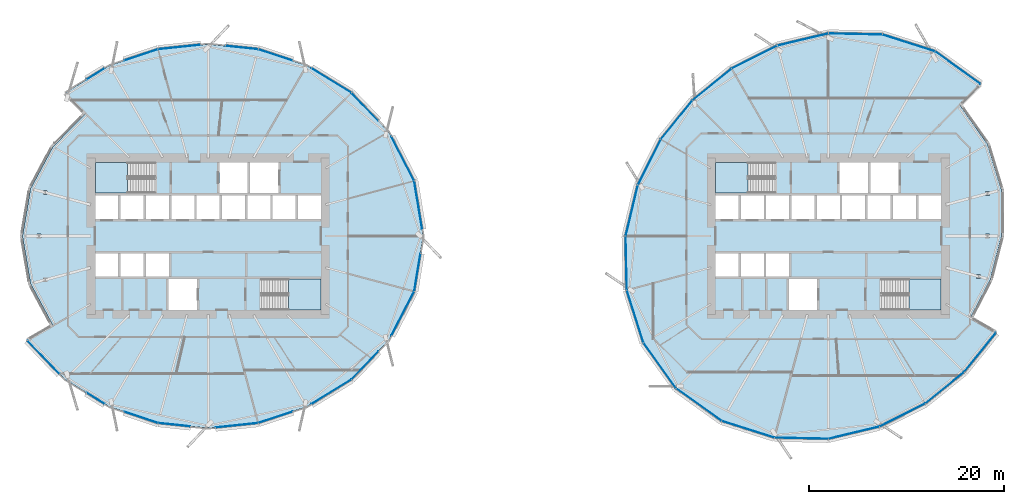
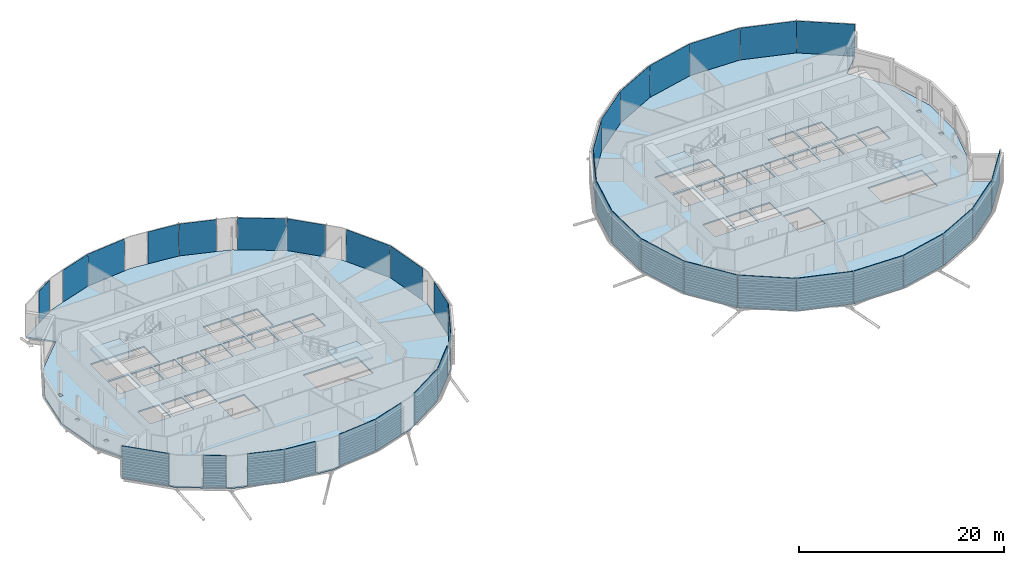
# One storey, part 18 of 36: 38 plates, 6 slabs, 6 elements without a shape of their own.
"""IFC4 building model written with IfcOpenShell, lengths in metres."""

from ifc_helpers import new_model, si_unit, direction, frame, origin, origin_2d, place, context, subcontext, project, spatial, polyline, rectangle, outline, extrude, material, layer, layer_set, type_object, element, aggregate, save


model = new_model("IFC4")

# Units and contexts
model_context = context("Model", 3, precision=1e-05, world=origin(), true_north=direction((0.0, 1.0)))
body_context = subcontext(model_context, "Body", "Model", "MODEL_VIEW")
ifc_project = project(units=[si_unit("LENGTHUNIT", "METRE"), si_unit("AREAUNIT", "SQUARE_METRE"), si_unit("VOLUMEUNIT", "CUBIC_METRE"), si_unit("PLANEANGLEUNIT", "RADIAN"), si_unit("MASSUNIT", "GRAM", prefix="KILO")], contexts=[model_context])

# Site, building, storey
site_placement = place(None, origin())
site = spatial("IfcSite", under=ifc_project, at=site_placement, CompositionType="ELEMENT")
building_placement = place(site_placement, origin())
building = spatial("IfcBuilding", under=site, at=building_placement, Name="Rimbun Link Towers", CompositionType="ELEMENT")
storey_placement = place(building_placement, frame((0.0, 0.0, 37.60009765625)))
storey = spatial("IfcBuildingStorey", under=building, at=storey_placement, Name="L08", CompositionType="ELEMENT", Elevation=37.60009765625)

# Slabs
ifc_material_1 = material(Name="Concrete C35/45", Category="concrete")
ifc_layer_1 = layer(ifc_material_1, 0.159912109375)
ifc_layer_set_1 = layer_set([ifc_layer_1], Name="COMPOSITE FLOOR 160")
slab_type_1 = type_object("IfcSlabType", Name="COMPOSITE FLOOR 160", PredefinedType="FLOOR", material=ifc_layer_set_1)
slab_1_placement = place(storey_placement, frame((0.0, 0.0, -0.16015625)))
element("IfcSlab", 1, at=slab_1_placement, inside=storey, type_object=slab_type_1, Name="Floor slab T1 L08", PredefinedType="FLOOR", context=body_context, shape_type="SweptSolid", body=[
    extrude(outline(polyline([(-41.836181640625, 17.469482421875), (-36.871826171875, 19.11474609375), (-31.75, 19.654296875), (-26.628173828125, 19.11474609375), (-21.663818359375, 17.469482421875), (-17.089111328125, 14.660888671875), (-13.26513671875, 10.672119140625), (-10.666259765625, 5.6494140625), (-9.7373046875, 0.0), (-10.666259765625, -5.6494140625), (-13.26513671875, -10.672119140625), (-17.089111328125, -14.660888671875), (-21.663818359375, -17.469482421875), (-26.628173828125, -19.11474609375), (-31.75, -19.654296875), (-36.871826171875, -19.11474609375), (-41.836181640625, -17.469482421875), (-46.410888671875, -14.660888671875), (-50.23486328125, -10.672119140625), (-47.63671875, -9.172119140625), (-49.935791015625, -4.872802734375), (-50.7626953125, 0.0), (-49.935791015625, 4.872802734375), (-47.63671875, 9.172119140625), (-44.28955078125, 12.53955078125), (-46.410888671875, 14.660888671875), (-41.836181640625, 17.469482421875)]), holes=[polyline([(-48.226806640625, -4.665283203125), (-48.226806640625, -4.271484375), (-48.625732421875, -4.271484375), (-48.625732421875, -4.665283203125), (-48.226806640625, -4.665283203125)]), polyline([(-40.95556640625, -4.14990234375), (-40.95556640625, -1.75), (-43.300048828125, -1.75), (-43.300048828125, -4.14990234375), (-40.95556640625, -4.14990234375)]), polyline([(-38.361083984375, -4.14990234375), (-38.361083984375, -1.75), (-40.70556640625, -1.75), (-40.70556640625, -4.14990234375), (-38.361083984375, -4.14990234375)]), polyline([(-38.111083984375, -4.14990234375), (-35.7666015625, -4.14990234375), (-35.7666015625, -1.75), (-38.111083984375, -1.75), (-38.111083984375, -4.14990234375)]), polyline([(-49.273681640625, -0.19677734375), (-48.874755859375, -0.19677734375), (-48.874755859375, 0.19677734375), (-49.273681640625, 0.19677734375), (-49.273681640625, -0.19677734375)]), polyline([(-40.95556640625, 1.75), (-40.95556640625, 4.14990234375), (-43.300048828125, 4.14990234375), (-43.300048828125, 1.75), (-40.95556640625, 1.75)]), polyline([(-38.361083984375, 1.75), (-38.361083984375, 4.14990234375), (-40.70556640625, 4.14990234375), (-40.70556640625, 1.75), (-38.361083984375, 1.75)]), polyline([(-35.7666015625, 1.75), (-35.7666015625, 4.14990234375), (-38.111083984375, 4.14990234375), (-38.111083984375, 1.75), (-35.7666015625, 1.75)]), polyline([(-48.625732421875, 4.271484375), (-48.226806640625, 4.271484375), (-48.226806640625, 4.665283203125), (-48.625732421875, 4.665283203125), (-48.625732421875, 4.271484375)]), polyline([(-43.300048828125, 4.39990234375), (-37.260009765625, 4.39990234375), (-37.260009765625, 7.550048828125), (-43.300048828125, 7.550048828125), (-43.300048828125, 4.39990234375)]), polyline([(-32.89990234375, -7.550048828125), (-32.89990234375, -4.39990234375), (-35.800048828125, -4.39990234375), (-35.800048828125, -7.550048828125), (-32.89990234375, -7.550048828125)]), polyline([(-20.199951171875, -7.550048828125), (-20.199951171875, -4.39990234375), (-26.239990234375, -4.39990234375), (-26.239990234375, -7.550048828125), (-20.199951171875, -7.550048828125)]), polyline([(-33.172119140625, 1.75), (-33.172119140625, 4.14990234375), (-35.5166015625, 4.14990234375), (-35.5166015625, 1.75), (-33.172119140625, 1.75)]), polyline([(-32.922119140625, 1.75), (-30.577880859375, 1.75), (-30.577880859375, 4.14990234375), (-32.922119140625, 4.14990234375), (-32.922119140625, 1.75)]), polyline([(-30.327880859375, 1.75), (-27.9833984375, 1.75), (-27.9833984375, 4.14990234375), (-30.327880859375, 4.14990234375), (-30.327880859375, 1.75)]), polyline([(-25.388916015625, 1.75), (-25.388916015625, 4.14990234375), (-27.7333984375, 4.14990234375), (-27.7333984375, 1.75), (-25.388916015625, 1.75)]), polyline([(-22.79443359375, 1.75), (-22.79443359375, 4.14990234375), (-25.138916015625, 4.14990234375), (-25.138916015625, 1.75), (-22.79443359375, 1.75)]), polyline([(-20.199951171875, 1.75), (-20.199951171875, 4.14990234375), (-22.54443359375, 4.14990234375), (-22.54443359375, 1.75), (-20.199951171875, 1.75)]), polyline([(-30.60009765625, 4.39990234375), (-27.699951171875, 4.39990234375), (-27.699951171875, 7.550048828125), (-30.60009765625, 7.550048828125), (-30.60009765625, 4.39990234375)]), polyline([(-27.449951171875, 4.39990234375), (-24.550048828125, 4.39990234375), (-24.550048828125, 7.550048828125), (-27.449951171875, 7.550048828125), (-27.449951171875, 4.39990234375)])]), origin(), (0.0, 0.0, 1.0), 0.16015625),
])
slab_2_placement = place(storey_placement, frame((0.0, 0.0, -0.16015625)))
element("IfcSlab", 2, at=slab_2_placement, inside=storey, type_object=slab_type_1, Name="Floor slab T2 L08", PredefinedType="FLOOR", context=body_context, shape_type="SweptSolid", body=[
    extrude(outline(polyline([(45.647705078125, -13.897705078125), (41.64453125, -17.1376953125), (36.970947265625, -19.48486328125), (31.75, -20.7333984375), (26.2255859375, -20.6171875), (20.836181640625, -18.903076171875), (16.184814453125, -15.565185546875), (12.846923828125, -10.913818359375), (11.1328125, -5.5244140625), (11.0166015625, 0.0), (12.26513671875, 5.220947265625), (14.6123046875, 9.89453125), (17.852294921875, 13.897705078125), (21.85546875, 17.1376953125), (26.529052734375, 19.48486328125), (31.75, 20.7333984375), (37.2744140625, 20.6171875), (42.663818359375, 18.903076171875), (47.315185546875, 15.565185546875), (45.194091796875, 13.444091796875), (48.054931640625, 9.413818359375), (49.46923828125, 4.747802734375), (49.4833984375, 0.0), (48.337158203125, -4.444580078125), (46.289794921875, -8.39453125), (48.8876953125, -9.89453125), (45.647705078125, -13.897705078125)]), holes=[polyline([(30.60009765625, -7.550048828125), (30.60009765625, -4.39990234375), (27.699951171875, -4.39990234375), (27.699951171875, -7.550048828125), (30.60009765625, -7.550048828125)]), polyline([(22.54443359375, -4.14990234375), (22.54443359375, -1.75), (20.199951171875, -1.75), (20.199951171875, -4.14990234375), (22.54443359375, -4.14990234375)]), polyline([(25.138916015625, -4.14990234375), (25.138916015625, -1.75), (22.79443359375, -1.75), (22.79443359375, -4.14990234375), (25.138916015625, -4.14990234375)]), polyline([(25.388916015625, -4.14990234375), (27.7333984375, -4.14990234375), (27.7333984375, -1.75), (25.388916015625, -1.75), (25.388916015625, -4.14990234375)]), polyline([(20.199951171875, 1.75), (22.54443359375, 1.75), (22.54443359375, 4.14990234375), (20.199951171875, 4.14990234375), (20.199951171875, 1.75)]), polyline([(25.138916015625, 1.75), (25.138916015625, 4.14990234375), (22.79443359375, 4.14990234375), (22.79443359375, 1.75), (25.138916015625, 1.75)]), polyline([(27.7333984375, 1.75), (27.7333984375, 4.14990234375), (25.388916015625, 4.14990234375), (25.388916015625, 1.75), (27.7333984375, 1.75)]), polyline([(30.327880859375, 1.75), (30.327880859375, 4.14990234375), (27.9833984375, 4.14990234375), (27.9833984375, 1.75), (30.327880859375, 1.75)]), polyline([(30.577880859375, 1.75), (32.922119140625, 1.75), (32.922119140625, 4.14990234375), (30.577880859375, 4.14990234375), (30.577880859375, 1.75)]), polyline([(20.199951171875, 4.39990234375), (26.239990234375, 4.39990234375), (26.239990234375, 7.550048828125), (20.199951171875, 7.550048828125), (20.199951171875, 4.39990234375)]), polyline([(43.300048828125, -7.550048828125), (43.300048828125, -4.39990234375), (37.260009765625, -4.39990234375), (37.260009765625, -7.550048828125), (43.300048828125, -7.550048828125)]), polyline([(47.33544921875, -4.319580078125), (47.33544921875, -3.92578125), (46.9365234375, -3.92578125), (46.9365234375, -4.319580078125), (47.33544921875, -4.319580078125)]), polyline([(48.237060546875, -0.19677734375), (48.237060546875, 0.19677734375), (47.837890625, 0.19677734375), (47.837890625, -0.19677734375), (48.237060546875, -0.19677734375)]), polyline([(33.172119140625, 1.75), (35.5166015625, 1.75), (35.5166015625, 4.14990234375), (33.172119140625, 4.14990234375), (33.172119140625, 1.75)]), polyline([(35.7666015625, 1.75), (38.111083984375, 1.75), (38.111083984375, 4.14990234375), (35.7666015625, 4.14990234375), (35.7666015625, 1.75)]), polyline([(40.70556640625, 1.75), (40.70556640625, 4.14990234375), (38.361083984375, 4.14990234375), (38.361083984375, 1.75), (40.70556640625, 1.75)]), polyline([(43.300048828125, 1.75), (43.300048828125, 4.14990234375), (40.95556640625, 4.14990234375), (40.95556640625, 1.75), (43.300048828125, 1.75)]), polyline([(48.247314453125, 4.170166015625), (48.247314453125, 4.563720703125), (47.848388671875, 4.563720703125), (47.848388671875, 4.170166015625), (48.247314453125, 4.170166015625)]), polyline([(32.89990234375, 4.39990234375), (35.800048828125, 4.39990234375), (35.800048828125, 7.550048828125), (32.89990234375, 7.550048828125), (32.89990234375, 4.39990234375)]), polyline([(36.050048828125, 4.39990234375), (38.949951171875, 4.39990234375), (38.949951171875, 7.550048828125), (36.050048828125, 7.550048828125), (36.050048828125, 4.39990234375)])]), origin(), (0.0, 0.0, 1.0), 0.16015625),
])

# Curtain wall, plates
ifc_material_2 = material(Name="Aluminium 6063-T6 and low-iron glass", Category="aluminium")
curtain_wall_type = type_object("IfcCurtainWallType", Name="CW1 unitised vision wall", PredefinedType="NOTDEFINED", material=ifc_material_2)
curtain_wall_1_placement = place(storey_placement, origin())
curtain_wall_1 = element("IfcCurtainWall", 3, at=curtain_wall_1_placement, inside=storey, type_object=curtain_wall_type, Name="CW1 L08 T1", PredefinedType="NOTDEFINED")
ifc_material_3 = material(Name="Low-iron glass, laminated low-e unit", Category="glass")
ifc_layer_2 = layer(ifc_material_3, 0.028076171875)
ifc_layer_set_2 = layer_set([ifc_layer_2], Name="CW1 panel Low-iron glass 28")
plate_type = type_object("IfcPlateType", Name="CW1 panel Low-iron glass 28", PredefinedType="CURTAIN_PANEL", material=ifc_layer_set_2)
plate_1_placement = place(storey_placement, frame((-10.244873046875, 3.17236328125, 0.0), z_axis=(0.0, 0.0, 1.0), x_axis=(0.162262978927, -0.986747549108, 0.0)))
plate_1 = element("IfcPlate", 4, at=plate_1_placement, type_object=plate_type, Name="CW1 panel", PredefinedType="CURTAIN_PANEL", context=body_context, shape_type="SweptSolid", body=[
    extrude(rectangle(XDim=4.9853515625, YDim=0.028076171875, at=origin_2d()), origin(), (0.0, 0.0, 1.0), 3.800048828125),
])
plate_2_placement = place(storey_placement, frame((-11.826904296875, 7.923095703125, 0.0), z_axis=(0.0, 0.0, 1.0), x_axis=(0.459548466118, -0.888152693678, 0.0)))
plate_2 = element("IfcPlate", 5, at=plate_2_placement, type_object=plate_type, Name="CW1 panel", PredefinedType="CURTAIN_PANEL", context=body_context, shape_type="SweptSolid", body=[
    extrude(rectangle(XDim=5.0654296875, YDim=0.028076171875, at=origin_2d()), origin(), (0.0, 0.0, 1.0), 3.800048828125),
])
plate_3_placement = place(storey_placement, frame((-15.703369140625, 13.235595703125, 0.0), z_axis=(0.0, 0.0, 1.0), x_axis=(0.692055501744, -0.721844292424, 0.0)))
plate_3 = element("IfcPlate", 6, at=plate_3_placement, type_object=plate_type, Name="CW1 panel", PredefinedType="CURTAIN_PANEL", context=body_context, shape_type="SweptSolid", body=[
    extrude(rectangle(XDim=3.935546875, YDim=0.028076171875, at=origin_2d()), origin(), (0.0, 0.0, 1.0), 3.800048828125),
])
plate_4_placement = place(storey_placement, frame((-19.134765625, 15.933349609375, 0.0), z_axis=(0.0, 0.0, 1.0), x_axis=(0.85219002421, -0.523232417417, 0.0)))
plate_4 = element("IfcPlate", 7, at=plate_4_placement, type_object=plate_type, Name="CW1 panel", PredefinedType="CURTAIN_PANEL", context=body_context, shape_type="SweptSolid", body=[
    extrude(rectangle(XDim=4.778076171875, YDim=0.028076171875, at=origin_2d()), origin(), (0.0, 0.0, 1.0), 3.800048828125),
])
plate_5_placement = place(storey_placement, frame((-24.853515625, 18.541259765625, 0.0), z_axis=(0.0, 0.0, 1.0), x_axis=(0.949236355837, -0.314563730837, 0.0)))
plate_5 = element("IfcPlate", 8, at=plate_5_placement, type_object=plate_type, Name="CW1 panel", PredefinedType="CURTAIN_PANEL", context=body_context, shape_type="SweptSolid", body=[
    extrude(rectangle(XDim=3.689697265625, YDim=0.028076171875, at=origin_2d()), origin(), (0.0, 0.0, 1.0), 3.800048828125),
])
plate_6_placement = place(storey_placement, frame((-28.29248046875, 19.30419921875, 0.0), z_axis=(0.0, 0.0, 1.0), x_axis=(0.994498109267, -0.104754525743, 0.0)))
plate_6 = element("IfcPlate", 9, at=plate_6_placement, type_object=plate_type, Name="CW1 panel", PredefinedType="CURTAIN_PANEL", context=body_context, shape_type="SweptSolid", body=[
    extrude(rectangle(XDim=3.31005859375, YDim=0.028076171875, at=origin_2d()), origin(), (0.0, 0.0, 1.0), 3.800048828125),
])
plate_7_placement = place(storey_placement, frame((-34.685302734375, 19.359130859375, 0.0), z_axis=(0.0, 0.0, 1.0), x_axis=(0.994498109267, 0.104754525743, 0.0)))
plate_7 = element("IfcPlate", 10, at=plate_7_placement, type_object=plate_type, Name="CW1 panel", PredefinedType="CURTAIN_PANEL", context=body_context, shape_type="SweptSolid", body=[
    extrude(rectangle(XDim=4.360107421875, YDim=0.028076171875, at=origin_2d()), origin(), (0.0, 0.0, 1.0), 3.800048828125),
])
plate_8_placement = place(storey_placement, frame((-38.622802734375, 18.54931640625, 0.0), z_axis=(0.0, 0.0, 1.0), x_axis=(0.949236355837, 0.314563730837, 0.0)))
plate_8 = element("IfcPlate", 11, at=plate_8_placement, type_object=plate_type, Name="CW1 panel", PredefinedType="CURTAIN_PANEL", context=body_context, shape_type="SweptSolid", body=[
    extrude(rectangle(XDim=3.639892578125, YDim=0.028076171875, at=origin_2d()), origin(), (0.0, 0.0, 1.0), 3.800048828125),
])
plate_9_placement = place(storey_placement, frame((-43.25732421875, 16.613525390625, 0.0), z_axis=(0.0, 0.0, 1.0), x_axis=(0.85219002421, 0.523232417417, 0.0)))
plate_9 = element("IfcPlate", 12, at=plate_9_placement, type_object=plate_type, Name="CW1 panel", PredefinedType="CURTAIN_PANEL", context=body_context, shape_type="SweptSolid", body=[
    extrude(rectangle(XDim=2.17822265625, YDim=0.028076171875, at=origin_2d()), origin(), (0.0, 0.0, 1.0), 3.800048828125),
])
plate_10_placement = place(storey_placement, frame((-48.592529296875, -12.405517578125, 0.0), z_axis=(0.0, 0.0, 1.0), x_axis=(-0.692055501744, 0.721844292424, 0.0)))
plate_10 = element("IfcPlate", 13, at=plate_10_placement, type_object=plate_type, Name="CW1 panel", PredefinedType="CURTAIN_PANEL", context=body_context, shape_type="SweptSolid", body=[
    extrude(rectangle(XDim=4.735595703125, YDim=0.028076171875, at=origin_2d()), origin(), (0.0, 0.0, 1.0), 3.800048828125),
])
plate_11_placement = place(storey_placement, frame((-43.25732421875, -16.613525390625, 0.0), z_axis=(0.0, 0.0, 1.0), x_axis=(-0.85219002421, 0.523232417417, 0.0)))
plate_11 = element("IfcPlate", 14, at=plate_11_placement, type_object=plate_type, Name="CW1 panel", PredefinedType="CURTAIN_PANEL", context=body_context, shape_type="SweptSolid", body=[
    extrude(rectangle(XDim=2.17822265625, YDim=0.028076171875, at=origin_2d()), origin(), (0.0, 0.0, 1.0), 3.800048828125),
])
plate_12_placement = place(storey_placement, frame((-38.622802734375, -18.54931640625, 0.0), z_axis=(0.0, 0.0, 1.0), x_axis=(-0.949236355837, 0.314563730837, 0.0)))
plate_12 = element("IfcPlate", 15, at=plate_12_placement, type_object=plate_type, Name="CW1 panel", PredefinedType="CURTAIN_PANEL", context=body_context, shape_type="SweptSolid", body=[
    extrude(rectangle(XDim=3.639892578125, YDim=0.028076171875, at=origin_2d()), origin(), (0.0, 0.0, 1.0), 3.800048828125),
])
plate_13_placement = place(storey_placement, frame((-35.20751953125, -19.30419921875, 0.0), z_axis=(0.0, 0.0, 1.0), x_axis=(-0.994498109267, 0.104754525743, 0.0)))
plate_13 = element("IfcPlate", 16, at=plate_13_placement, type_object=plate_type, Name="CW1 panel", PredefinedType="CURTAIN_PANEL", context=body_context, shape_type="SweptSolid", body=[
    extrude(rectangle(XDim=3.31005859375, YDim=0.028076171875, at=origin_2d()), origin(), (0.0, 0.0, 1.0), 3.800048828125),
])
plate_14_placement = place(storey_placement, frame((-28.814697265625, -19.359130859375, 0.0), z_axis=(0.0, 0.0, 1.0), x_axis=(-0.994498109267, -0.104754525743, 0.0)))
plate_14 = element("IfcPlate", 17, at=plate_14_placement, type_object=plate_type, Name="CW1 panel", PredefinedType="CURTAIN_PANEL", context=body_context, shape_type="SweptSolid", body=[
    extrude(rectangle(XDim=4.360107421875, YDim=0.028076171875, at=origin_2d()), origin(), (0.0, 0.0, 1.0), 3.800048828125),
])
plate_15_placement = place(storey_placement, frame((-24.853515625, -18.541259765625, 0.0), z_axis=(0.0, 0.0, 1.0), x_axis=(-0.949236355837, -0.314563730837, 0.0)))
plate_15 = element("IfcPlate", 18, at=plate_15_placement, type_object=plate_type, Name="CW1 panel", PredefinedType="CURTAIN_PANEL", context=body_context, shape_type="SweptSolid", body=[
    extrude(rectangle(XDim=3.689697265625, YDim=0.028076171875, at=origin_2d()), origin(), (0.0, 0.0, 1.0), 3.800048828125),
])
plate_16_placement = place(storey_placement, frame((-19.134765625, -15.933349609375, 0.0), z_axis=(0.0, 0.0, 1.0), x_axis=(-0.85219002421, -0.523232417417, 0.0)))
plate_16 = element("IfcPlate", 19, at=plate_16_placement, type_object=plate_type, Name="CW1 panel", PredefinedType="CURTAIN_PANEL", context=body_context, shape_type="SweptSolid", body=[
    extrude(rectangle(XDim=4.778076171875, YDim=0.028076171875, at=origin_2d()), origin(), (0.0, 0.0, 1.0), 3.800048828125),
])
plate_17_placement = place(storey_placement, frame((-15.703369140625, -13.235595703125, 0.0), z_axis=(0.0, 0.0, 1.0), x_axis=(-0.692055501744, -0.721844292424, 0.0)))
plate_17 = element("IfcPlate", 20, at=plate_17_placement, type_object=plate_type, Name="CW1 panel", PredefinedType="CURTAIN_PANEL", context=body_context, shape_type="SweptSolid", body=[
    extrude(rectangle(XDim=3.935546875, YDim=0.028076171875, at=origin_2d()), origin(), (0.0, 0.0, 1.0), 3.800048828125),
])
plate_18_placement = place(storey_placement, frame((-11.826904296875, -7.923095703125, 0.0), z_axis=(0.0, 0.0, 1.0), x_axis=(-0.459548466118, -0.888152693678, 0.0)))
plate_18 = element("IfcPlate", 21, at=plate_18_placement, type_object=plate_type, Name="CW1 panel", PredefinedType="CURTAIN_PANEL", context=body_context, shape_type="SweptSolid", body=[
    extrude(rectangle(XDim=5.0654296875, YDim=0.028076171875, at=origin_2d()), origin(), (0.0, 0.0, 1.0), 3.800048828125),
])
plate_19_placement = place(storey_placement, frame((-10.333984375, -3.715087890625, 0.0), z_axis=(0.0, 0.0, 1.0), x_axis=(-0.162262978927, -0.986747549108, 0.0)))
plate_19 = element("IfcPlate", 22, at=plate_19_placement, type_object=plate_type, Name="CW1 panel", PredefinedType="CURTAIN_PANEL", context=body_context, shape_type="SweptSolid", body=[
    extrude(rectangle(XDim=3.88525390625, YDim=0.028076171875, at=origin_2d()), origin(), (0.0, 0.0, 1.0), 3.800048828125),
])
aggregate(curtain_wall_1, [plate_1, plate_2, plate_3, plate_4, plate_5, plate_6, plate_7, plate_8, plate_9, plate_10, plate_11, plate_12, plate_13, plate_14, plate_15, plate_16, plate_17, plate_18, plate_19])

curtain_wall_2_placement = place(storey_placement, origin())
curtain_wall_2 = element("IfcCurtainWall", 23, at=curtain_wall_2_placement, inside=storey, type_object=curtain_wall_type, Name="CW1 L08 T2", PredefinedType="NOTDEFINED")
plate_20_placement = place(storey_placement, frame((44.99755859375, 17.24560546875, 0.0), z_axis=(0.0, 0.0, 1.0), x_axis=(0.812473502255, -0.58299812018, 0.0)))
plate_20 = element("IfcPlate", 24, at=plate_20_placement, type_object=plate_type, Name="CW1 panel", PredefinedType="CURTAIN_PANEL", context=body_context, shape_type="SweptSolid", body=[
    extrude(rectangle(XDim=5.685302734375, YDim=0.028076171875, at=origin_2d()), origin(), (0.0, 0.0, 1.0), 3.800048828125),
])
plate_21_placement = place(storey_placement, frame((39.97314453125, 19.7734375, 0.0), z_axis=(0.0, 0.0, 1.0), x_axis=(0.952967107147, -0.303073741351, 0.0)))
plate_21 = element("IfcPlate", 25, at=plate_21_placement, type_object=plate_type, Name="CW1 panel", PredefinedType="CURTAIN_PANEL", context=body_context, shape_type="SweptSolid", body=[
    extrude(rectangle(XDim=5.615478515625, YDim=0.028076171875, at=origin_2d()), origin(), (0.0, 0.0, 1.0), 3.800048828125),
])
plate_22_placement = place(storey_placement, frame((34.512451171875, 20.689208984375, 0.0), z_axis=(0.0, 0.0, 1.0), x_axis=(0.999778089999, -0.021065867113, 0.0)))
plate_22 = element("IfcPlate", 26, at=plate_22_placement, type_object=plate_type, Name="CW1 panel", PredefinedType="CURTAIN_PANEL", context=body_context, shape_type="SweptSolid", body=[
    extrude(rectangle(XDim=5.485595703125, YDim=0.028076171875, at=origin_2d()), origin(), (0.0, 0.0, 1.0), 3.800048828125),
])
plate_23_placement = place(storey_placement, frame((29.13623046875, 20.122802734375, 0.0), z_axis=(0.0, 0.0, 1.0), x_axis=(0.972569455913, 0.23261266824, 0.0)))
plate_23 = element("IfcPlate", 27, at=plate_23_placement, type_object=plate_type, Name="CW1 panel", PredefinedType="CURTAIN_PANEL", context=body_context, shape_type="SweptSolid", body=[
    extrude(rectangle(XDim=5.328125, YDim=0.028076171875, at=origin_2d()), origin(), (0.0, 0.0, 1.0), 3.800048828125),
])
plate_24_placement = place(storey_placement, frame((24.18603515625, 18.32373046875, 0.0), z_axis=(0.0, 0.0, 1.0), x_axis=(0.893645687489, 0.448773200217, 0.0)))
plate_24 = element("IfcPlate", 28, at=plate_24_placement, type_object=plate_type, Name="CW1 panel", PredefinedType="CURTAIN_PANEL", context=body_context, shape_type="SweptSolid", body=[
    extrude(rectangle(XDim=5.189697265625, YDim=0.028076171875, at=origin_2d()), origin(), (0.0, 0.0, 1.0), 3.800048828125),
])
plate_25_placement = place(storey_placement, frame((19.84521484375, 15.528564453125, 0.0), z_axis=(0.0, 0.0, 1.0), x_axis=(0.777283304345, 0.629150748856, 0.0)))
plate_25 = element("IfcPlate", 29, at=plate_25_placement, type_object=plate_type, Name="CW1 panel", PredefinedType="CURTAIN_PANEL", context=body_context, shape_type="SweptSolid", body=[
    extrude(rectangle(XDim=5.110107421875, YDim=0.028076171875, at=origin_2d()), origin(), (0.0, 0.0, 1.0), 3.800048828125),
])
plate_26_placement = place(storey_placement, frame((16.221435546875, 11.90478515625, 0.0), z_axis=(0.0, 0.0, 1.0), x_axis=(0.629150748856, 0.777283304345, 0.0)))
plate_26 = element("IfcPlate", 30, at=plate_26_placement, type_object=plate_type, Name="CW1 panel", PredefinedType="CURTAIN_PANEL", context=body_context, shape_type="SweptSolid", body=[
    extrude(rectangle(XDim=5.110107421875, YDim=0.028076171875, at=origin_2d()), origin(), (0.0, 0.0, 1.0), 3.800048828125),
])
plate_27_placement = place(storey_placement, frame((13.42626953125, 7.56396484375, 0.0), z_axis=(0.0, 0.0, 1.0), x_axis=(0.448773200217, 0.893645687489, 0.0)))
plate_27 = element("IfcPlate", 31, at=plate_27_placement, type_object=plate_type, Name="CW1 panel", PredefinedType="CURTAIN_PANEL", context=body_context, shape_type="SweptSolid", body=[
    extrude(rectangle(XDim=5.189697265625, YDim=0.028076171875, at=origin_2d()), origin(), (0.0, 0.0, 1.0), 3.800048828125),
])
plate_28_placement = place(storey_placement, frame((11.627197265625, 2.61376953125, 0.0), z_axis=(0.0, 0.0, 1.0), x_axis=(0.23261266824, 0.972569455913, 0.0)))
plate_28 = element("IfcPlate", 32, at=plate_28_placement, type_object=plate_type, Name="CW1 panel", PredefinedType="CURTAIN_PANEL", context=body_context, shape_type="SweptSolid", body=[
    extrude(rectangle(XDim=5.328125, YDim=0.028076171875, at=origin_2d()), origin(), (0.0, 0.0, 1.0), 3.800048828125),
])
plate_29_placement = place(storey_placement, frame((11.060791015625, -2.762451171875, 0.0), z_axis=(0.0, 0.0, 1.0), x_axis=(-0.021065867113, 0.999778089999, 0.0)))
plate_29 = element("IfcPlate", 33, at=plate_29_placement, type_object=plate_type, Name="CW1 panel", PredefinedType="CURTAIN_PANEL", context=body_context, shape_type="SweptSolid", body=[
    extrude(rectangle(XDim=5.485595703125, YDim=0.028076171875, at=origin_2d()), origin(), (0.0, 0.0, 1.0), 3.800048828125),
])
plate_30_placement = place(storey_placement, frame((11.9765625, -8.22314453125, 0.0), z_axis=(0.0, 0.0, 1.0), x_axis=(-0.303073741351, 0.952967107147, 0.0)))
plate_30 = element("IfcPlate", 34, at=plate_30_placement, type_object=plate_type, Name="CW1 panel", PredefinedType="CURTAIN_PANEL", context=body_context, shape_type="SweptSolid", body=[
    extrude(rectangle(XDim=5.615478515625, YDim=0.028076171875, at=origin_2d()), origin(), (0.0, 0.0, 1.0), 3.800048828125),
])
plate_31_placement = place(storey_placement, frame((14.50439453125, -13.24755859375, 0.0), z_axis=(0.0, 0.0, 1.0), x_axis=(-0.58299812018, 0.812473502255, 0.0)))
plate_31 = element("IfcPlate", 35, at=plate_31_placement, type_object=plate_type, Name="CW1 panel", PredefinedType="CURTAIN_PANEL", context=body_context, shape_type="SweptSolid", body=[
    extrude(rectangle(XDim=5.685302734375, YDim=0.028076171875, at=origin_2d()), origin(), (0.0, 0.0, 1.0), 3.800048828125),
])
plate_32_placement = place(storey_placement, frame((18.50244140625, -17.24560546875, 0.0), z_axis=(0.0, 0.0, 1.0), x_axis=(-0.812473502255, 0.58299812018, 0.0)))
plate_32 = element("IfcPlate", 36, at=plate_32_placement, type_object=plate_type, Name="CW1 panel", PredefinedType="CURTAIN_PANEL", context=body_context, shape_type="SweptSolid", body=[
    extrude(rectangle(XDim=5.685302734375, YDim=0.028076171875, at=origin_2d()), origin(), (0.0, 0.0, 1.0), 3.800048828125),
])
plate_33_placement = place(storey_placement, frame((23.52685546875, -19.7734375, 0.0), z_axis=(0.0, 0.0, 1.0), x_axis=(-0.952967107147, 0.303073741351, 0.0)))
plate_33 = element("IfcPlate", 37, at=plate_33_placement, type_object=plate_type, Name="CW1 panel", PredefinedType="CURTAIN_PANEL", context=body_context, shape_type="SweptSolid", body=[
    extrude(rectangle(XDim=5.615478515625, YDim=0.028076171875, at=origin_2d()), origin(), (0.0, 0.0, 1.0), 3.800048828125),
])
plate_34_placement = place(storey_placement, frame((28.987548828125, -20.689208984375, 0.0), z_axis=(0.0, 0.0, 1.0), x_axis=(-0.999778089999, 0.021065867113, 0.0)))
plate_34 = element("IfcPlate", 38, at=plate_34_placement, type_object=plate_type, Name="CW1 panel", PredefinedType="CURTAIN_PANEL", context=body_context, shape_type="SweptSolid", body=[
    extrude(rectangle(XDim=5.485595703125, YDim=0.028076171875, at=origin_2d()), origin(), (0.0, 0.0, 1.0), 3.800048828125),
])
plate_35_placement = place(storey_placement, frame((34.36376953125, -20.122802734375, 0.0), z_axis=(0.0, 0.0, 1.0), x_axis=(-0.972569455913, -0.23261266824, 0.0)))
plate_35 = element("IfcPlate", 39, at=plate_35_placement, type_object=plate_type, Name="CW1 panel", PredefinedType="CURTAIN_PANEL", context=body_context, shape_type="SweptSolid", body=[
    extrude(rectangle(XDim=5.328125, YDim=0.028076171875, at=origin_2d()), origin(), (0.0, 0.0, 1.0), 3.800048828125),
])
plate_36_placement = place(storey_placement, frame((39.31396484375, -18.32373046875, 0.0), z_axis=(0.0, 0.0, 1.0), x_axis=(-0.893645687489, -0.448773200217, 0.0)))
plate_36 = element("IfcPlate", 40, at=plate_36_placement, type_object=plate_type, Name="CW1 panel", PredefinedType="CURTAIN_PANEL", context=body_context, shape_type="SweptSolid", body=[
    extrude(rectangle(XDim=5.189697265625, YDim=0.028076171875, at=origin_2d()), origin(), (0.0, 0.0, 1.0), 3.800048828125),
])
plate_37_placement = place(storey_placement, frame((43.65478515625, -15.528564453125, 0.0), z_axis=(0.0, 0.0, 1.0), x_axis=(-0.777283304345, -0.629150748856, 0.0)))
plate_37 = element("IfcPlate", 41, at=plate_37_placement, type_object=plate_type, Name="CW1 panel", PredefinedType="CURTAIN_PANEL", context=body_context, shape_type="SweptSolid", body=[
    extrude(rectangle(XDim=5.110107421875, YDim=0.028076171875, at=origin_2d()), origin(), (0.0, 0.0, 1.0), 3.800048828125),
])
plate_38_placement = place(storey_placement, frame((47.278564453125, -11.90478515625, 0.0), z_axis=(0.0, 0.0, 1.0), x_axis=(-0.629150748856, -0.777283304345, 0.0)))
plate_38 = element("IfcPlate", 42, at=plate_38_placement, type_object=plate_type, Name="CW1 panel", PredefinedType="CURTAIN_PANEL", context=body_context, shape_type="SweptSolid", body=[
    extrude(rectangle(XDim=5.110107421875, YDim=0.028076171875, at=origin_2d()), origin(), (0.0, 0.0, 1.0), 3.800048828125),
])
aggregate(curtain_wall_2, [plate_20, plate_21, plate_22, plate_23, plate_24, plate_25, plate_26, plate_27, plate_28, plate_29, plate_30, plate_31, plate_32, plate_33, plate_34, plate_35, plate_36, plate_37, plate_38])

# Stair, slab
ifc_material_4 = material(Name="Concrete C40/50", Category="concrete")
stair_type = type_object("IfcStairType", Name="Exit stair 3800 rise", PredefinedType="HALF_TURN_STAIR", material=ifc_material_4)
stair_1_placement = place(storey_placement, origin())
stair_1 = element("IfcStair", 43, at=stair_1_placement, inside=storey, type_object=stair_type, Name="L08 EXIT STAIR A", PredefinedType="HALF_TURN_STAIR")
ifc_material_5 = material(Name="Concrete C40/50", Category="concrete")
ifc_layer_3 = layer(ifc_material_5, 0.199951171875)
ifc_layer_set_3 = layer_set([ifc_layer_3], Name="Stair landing")
slab_type_2 = type_object("IfcSlabType", Name="Stair landing", PredefinedType="LANDING", material=ifc_layer_set_3)
slab_3_placement = place(storey_placement, frame((0.0, 0.0, 1.699951171875)))
slab_3 = element("IfcSlab", 44, at=slab_3_placement, type_object=slab_type_2, Name="ST1 landing 1", PredefinedType="LANDING", context=body_context, shape_type="SweptSolid", body=[
    extrude(outline(polyline([(-40.0, 7.550048828125), (-43.300048828125, 7.550048828125), (-43.300048828125, 4.39990234375), (-40.0, 4.39990234375), (-40.0, 7.550048828125)])), origin(), (0.0, 0.0, 1.0), 0.199951171875),
])
aggregate(stair_1, [slab_3])

stair_2_placement = place(storey_placement, origin())
stair_2 = element("IfcStair", 45, at=stair_2_placement, inside=storey, type_object=stair_type, Name="L08 EXIT STAIR B", PredefinedType="HALF_TURN_STAIR")
slab_4_placement = place(storey_placement, frame((0.0, 0.0, 1.699951171875)))
slab_4 = element("IfcSlab", 46, at=slab_4_placement, type_object=slab_type_2, Name="ST2 landing 1", PredefinedType="LANDING", context=body_context, shape_type="SweptSolid", body=[
    extrude(outline(polyline([(-23.5, -7.550048828125), (-20.199951171875, -7.550048828125), (-20.199951171875, -4.39990234375), (-23.5, -4.39990234375), (-23.5, -7.550048828125)])), origin(), (0.0, 0.0, 1.0), 0.199951171875),
])
aggregate(stair_2, [slab_4])

stair_3_placement = place(storey_placement, origin())
stair_3 = element("IfcStair", 47, at=stair_3_placement, inside=storey, type_object=stair_type, Name="L08 EXIT STAIR A", PredefinedType="HALF_TURN_STAIR")
slab_5_placement = place(storey_placement, frame((0.0, 0.0, 1.699951171875)))
slab_5 = element("IfcSlab", 48, at=slab_5_placement, type_object=slab_type_2, Name="ST3 landing 1", PredefinedType="LANDING", context=body_context, shape_type="SweptSolid", body=[
    extrude(outline(polyline([(23.5, 7.550048828125), (20.199951171875, 7.550048828125), (20.199951171875, 4.39990234375), (23.5, 4.39990234375), (23.5, 7.550048828125)])), origin(), (0.0, 0.0, 1.0), 0.199951171875),
])
aggregate(stair_3, [slab_5])

stair_4_placement = place(storey_placement, origin())
stair_4 = element("IfcStair", 49, at=stair_4_placement, inside=storey, type_object=stair_type, Name="L08 EXIT STAIR B", PredefinedType="HALF_TURN_STAIR")
slab_6_placement = place(storey_placement, frame((0.0, 0.0, 1.699951171875)))
slab_6 = element("IfcSlab", 50, at=slab_6_placement, type_object=slab_type_2, Name="ST4 landing 1", PredefinedType="LANDING", context=body_context, shape_type="SweptSolid", body=[
    extrude(outline(polyline([(40.0, -7.550048828125), (43.300048828125, -7.550048828125), (43.300048828125, -4.39990234375), (40.0, -4.39990234375), (40.0, -7.550048828125)])), origin(), (0.0, 0.0, 1.0), 0.199951171875),
])
aggregate(stair_4, [slab_6])

save(model, "model.ifc")
